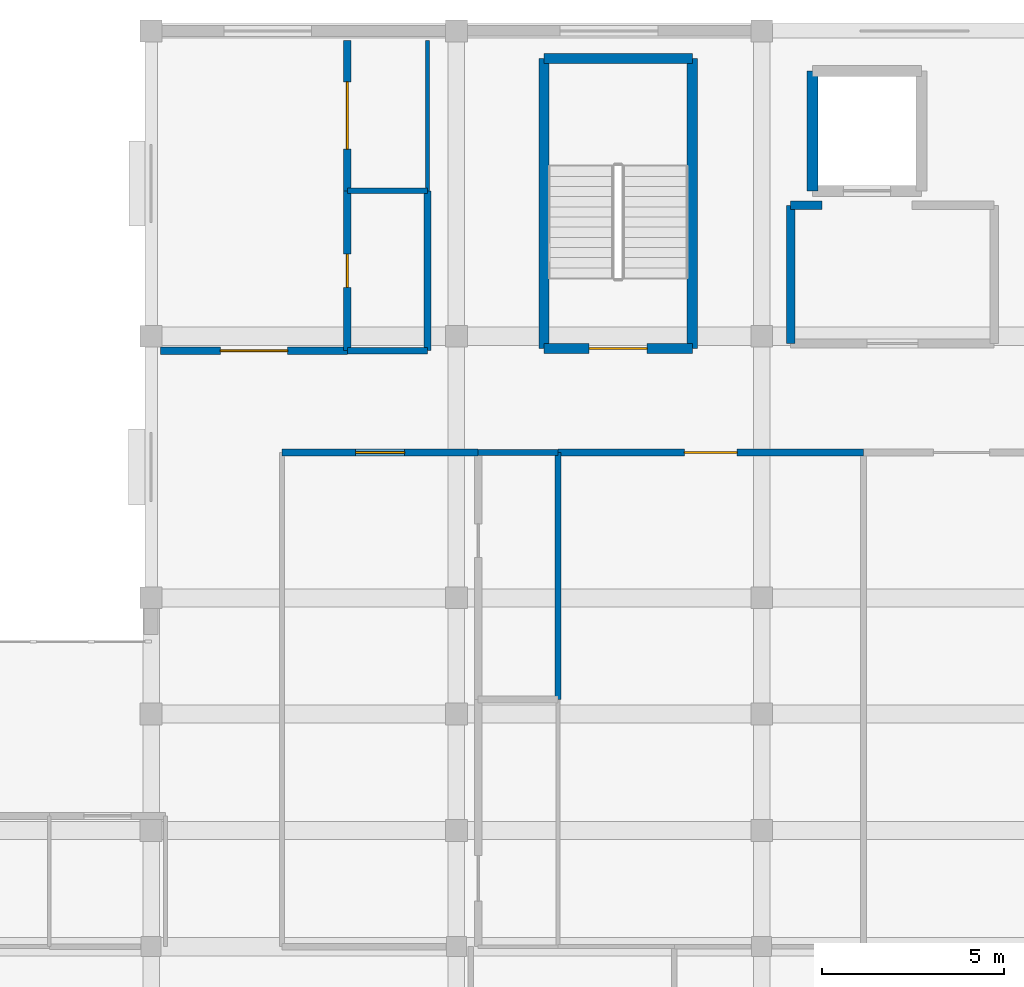
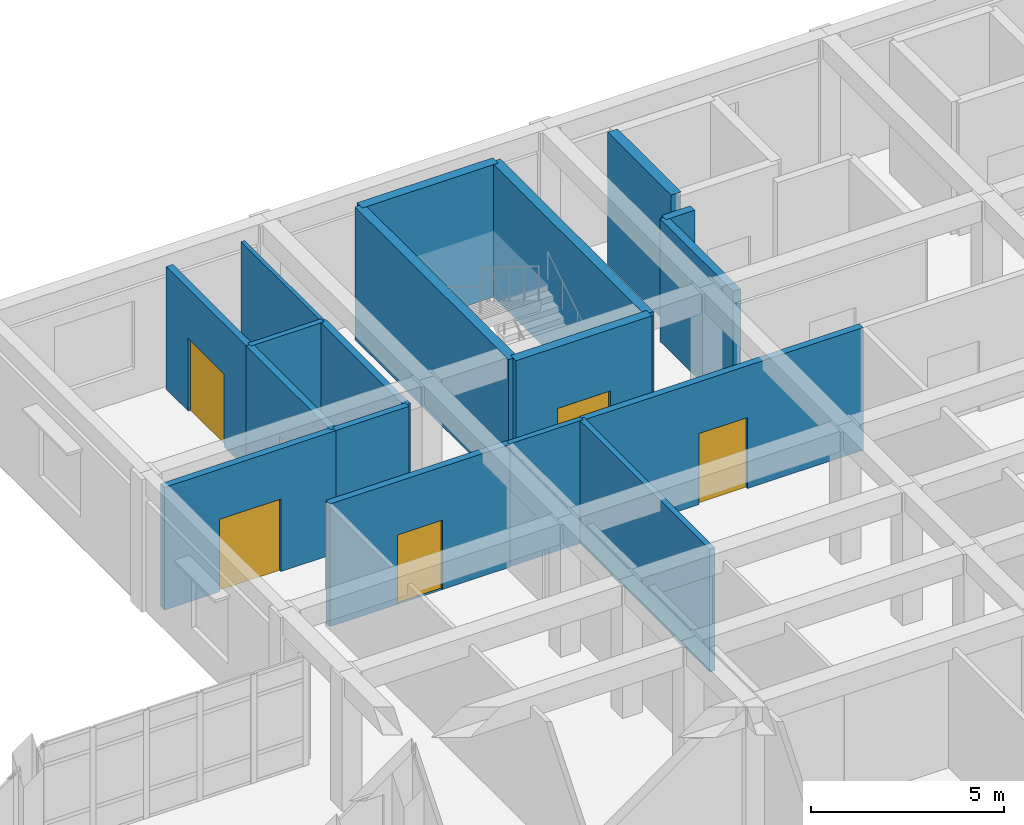
# One storey, part 53 of 77: 18 walls, 6 doors, 6 openings.
"""IFC4 building model written with IfcOpenShell, lengths in metres."""

from ifc_helpers import new_model, si_unit, direction, frame, frame_2d, origin, place, context, subcontext, project, spatial, rectangle, extrude, material, layer, layer_set, type_object, element, fill, save


model = new_model("IFC4")

# Units and contexts
model_context = context("Model", 3, precision=1e-05, world=origin(), true_north=direction((0.0, 1.0)))
body_context = subcontext(model_context, "Body", "Model", "MODEL_VIEW")
ifc_project = project(units=[si_unit("LENGTHUNIT", "METRE"), si_unit("AREAUNIT", "SQUARE_METRE"), si_unit("VOLUMEUNIT", "CUBIC_METRE"), si_unit("PLANEANGLEUNIT", "RADIAN"), si_unit("MASSUNIT", "GRAM", prefix="KILO")], contexts=[model_context])

# Site, building, storey
site_placement = place(None, origin())
site = spatial("IfcSite", under=ifc_project, at=site_placement, CompositionType="ELEMENT")
building_placement = place(site_placement, origin())
building = spatial("IfcBuilding", under=site, at=building_placement, Name="Varncliffe General Hospital", CompositionType="ELEMENT")
storey_placement = place(building_placement, frame((0.0, 0.0, 16.199951171875)))
storey = spatial("IfcBuildingStorey", under=building, at=storey_placement, Name="L03", CompositionType="ELEMENT", Elevation=16.199951171875)

# Walls
ifc_material_1 = material(Name="Acoustic clinical gypsum stud partition assembly", Category="gypsum")
ifc_layer_1 = layer(ifc_material_1, 0.110107421875)
ifc_layer_set_1 = layer_set([ifc_layer_1], Name="Acoustic clinical gypsum stud partition assembly")
wall_type_1 = type_object("IfcWallType", Name="Interior Partitioning IW65 (110mm)", PredefinedType="PARTITIONING", material=ifc_layer_set_1)
wall_1_placement = place(storey_placement, frame((116.800048828125, 120.39990234375, 0.0), z_axis=(0.0, 0.0, 1.0), x_axis=(0.0, 1.0, 0.0)))
element("IfcWall", 1, at=wall_1_placement, inside=storey, type_object=wall_type_1, Name="L03 Interior Partition Wall IW65-1597", PredefinedType="PARTITIONING", context=body_context, shape_type="SweptSolid", body=[
    extrude(rectangle(XDim=4.14013671875, YDim=0.110107421875, at=frame_2d((2.070068359375, 0.0))), origin(), (0.0, 0.0, 1.0), 3.89013671875),
])
ifc_material_2 = material(Name="Fire-rated gypsum and mineral-wool partition assembly", Category="gypsum")
ifc_layer_2 = layer(ifc_material_2, 0.22998046875)
ifc_layer_set_2 = layer_set([ifc_layer_2], Name="Fire-rated gypsum and mineral-wool partition assembly")
wall_type_2 = type_object("IfcWallType", Name="Interior Partitioning PW48 (230mm)", PredefinedType="PARTITIONING", material=ifc_layer_set_2)
wall_2_placement = place(storey_placement, frame((126.800048828125, 120.0, 0.0), z_axis=(0.0, 0.0, 1.0), x_axis=(1.0, 0.0, 0.0)))
element("IfcWall", 2, at=wall_2_placement, inside=storey, type_object=wall_type_2, Name="L03 Interior Partition Wall PW48-1501", PredefinedType="PARTITIONING", context=body_context, shape_type="SweptSolid", body=[
    extrude(rectangle(XDim=0.864013671875, YDim=0.22998046875, at=frame_2d((0.43212890625, 0.0))), origin(), (0.0, 0.0, 1.0), 3.89013671875),
])
wall_3_placement = place(storey_placement, frame((126.800048828125, 116.199951171875, 0.0), z_axis=(0.0, 0.0, 1.0), x_axis=(0.0, 1.0, 0.0)))
element("IfcWall", 3, at=wall_3_placement, inside=storey, type_object=wall_type_2, Name="L03 Interior Partition Wall PW48-1608", PredefinedType="PARTITIONING", context=body_context, shape_type="SweptSolid", body=[
    extrude(rectangle(XDim=3.800048828125, YDim=0.22998046875, at=frame_2d((1.89990234375, 0.0))), origin(), (0.0, 0.0, 1.0), 3.89013671875),
])

# Wall, opening, door
ifc_layer_3 = layer(ifc_material_2, 0.199951171875)
ifc_layer_set_3 = layer_set([ifc_layer_3], Name="Fire-rated gypsum and mineral-wool partition assembly")
wall_type_3 = type_object("IfcWallType", Name="Interior Partitioning PW63 (200mm)", PredefinedType="PARTITIONING", material=ifc_layer_set_3)
wall_4_placement = place(storey_placement, frame((112.800048828125, 113.199951171875, 0.0), z_axis=(0.0, 0.0, 1.0), x_axis=(1.0, 0.0, 0.0)))
wall_4 = element("IfcWall", 4, at=wall_4_placement, inside=storey, type_object=wall_type_3, Name="L03 Interior Partition Wall PW63-1470", PredefinedType="PARTITIONING", context=body_context, shape_type="SweptSolid", body=[
    extrude(rectangle(XDim=5.39990234375, YDim=0.199951171875, at=frame_2d((2.699951171875, 0.0))), origin(), (0.0, 0.0, 1.0), 3.89013671875),
])
opening_1_placement = place(wall_4_placement, frame((2.02490234375, 0.0, 0.0)))
opening_1 = element("IfcOpeningElement", 5, at=opening_1_placement, cuts=wall_4, Name="Opening DC85", PredefinedType="OPENING", context=body_context, shape_type="SweptSolid", body=[
    extrude(rectangle(XDim=1.35009765625, YDim=2.199951171875, at=frame_2d((0.675048828125, 1.10009765625))), frame((0.0, 0.10986328125, 0.0), z_axis=(0.0, -1.0, 0.0), x_axis=(1.0, 0.0, 0.0)), (0.0, 0.0, 1.0), 0.219970703125),
])
ifc_material_3 = material(Name="Fire-rated hospital steel-frame vision-panel door", Category="steel")
door_type_1 = type_object("IfcDoorType", Name="Interior Hospital Door DC85 (1350x2200)", OperationType="NOTDEFINED", PredefinedType="DOOR", material=ifc_material_3)
door_1_placement = place(opening_1_placement, frame((1.35009765625, 0.0, 0.0), z_axis=(0.0, 0.0, 1.0), x_axis=(-1.0, 0.0, 0.0)))
door_1 = element("IfcDoor", 6, at=door_1_placement, inside=storey, type_object=door_type_1, Name="L03 Orthopaedic Inpatient Ward Suite 115 Door", OperationType="SINGLE_SWING_RIGHT", OverallHeight=2.199951171875, OverallWidth=1.35009765625, PredefinedType="DOOR", context=body_context, shape_type="SweptSolid", body=[
    extrude(rectangle(XDim=1.35009765625, YDim=2.199951171875, at=frame_2d((0.675048828125, 1.10009765625))), frame((0.0, 0.02490234375, 0.0), z_axis=(0.0, -1.0, 0.0), x_axis=(1.0, 0.0, 0.0)), (0.0, 0.0, 1.0), 0.050048828125),
])
fill(opening_1, door_1)

wall_5_placement = place(storey_placement, frame((120.39990234375, 113.199951171875, 0.0), z_axis=(0.0, 0.0, 1.0), x_axis=(1.0, 0.0, 0.0)))
wall_5 = element("IfcWall", 7, at=wall_5_placement, inside=storey, type_object=wall_type_3, Name="L03 Interior Partition Wall PW63-1472", PredefinedType="PARTITIONING", context=body_context, shape_type="SweptSolid", body=[
    extrude(rectangle(XDim=8.400146484375, YDim=0.199951171875, at=frame_2d((4.2001953125, 0.0))), origin(), (0.0, 0.0, 1.0), 3.89013671875),
])
opening_2_placement = place(wall_5_placement, frame((3.47509765625, 0.0, 0.0)))
opening_2 = element("IfcOpeningElement", 8, at=opening_2_placement, cuts=wall_5, Name="Opening DC66", PredefinedType="OPENING", context=body_context, shape_type="SweptSolid", body=[
    extrude(rectangle(XDim=1.449951171875, YDim=2.25, at=frame_2d((0.72509765625, 1.125))), frame((0.0, 0.10986328125, 0.0), z_axis=(0.0, -1.0, 0.0), x_axis=(1.0, 0.0, 0.0)), (0.0, 0.0, 1.0), 0.219970703125),
])
door_type_2 = type_object("IfcDoorType", Name="Interior Hospital Door DC66 (1450x2250)", OperationType="NOTDEFINED", PredefinedType="DOOR", material=ifc_material_3)
door_2_placement = place(opening_2_placement, frame((1.449951171875, 0.0, 0.0), z_axis=(0.0, 0.0, 1.0), x_axis=(-1.0, 0.0, 0.0)))
door_2 = element("IfcDoor", 9, at=door_2_placement, inside=storey, type_object=door_type_2, Name="L03 Inpatient Physiotherapy Gym Bay 118 Door", OperationType="SINGLE_SWING_LEFT", OverallHeight=2.25, OverallWidth=1.449951171875, PredefinedType="DOOR", context=body_context, shape_type="SweptSolid", body=[
    extrude(rectangle(XDim=1.449951171875, YDim=2.25, at=frame_2d((0.72509765625, 1.125))), frame((0.0, 0.02490234375, 0.0), z_axis=(0.0, -1.0, 0.0), x_axis=(1.0, 0.0, 0.0)), (0.0, 0.0, 1.0), 0.050048828125),
])
fill(opening_2, door_2)

wall_6_placement = place(storey_placement, frame((109.4599609375, 116.0, 0.0), z_axis=(0.0, 0.0, 1.0), x_axis=(1.0, 0.0, 0.0)))
wall_6 = element("IfcWall", 10, at=wall_6_placement, inside=storey, type_object=wall_type_3, Name="L03 Interior Partition Wall PW63-1485", PredefinedType="PARTITIONING", context=body_context, shape_type="SweptSolid", body=[
    extrude(rectangle(XDim=5.14013671875, YDim=0.199951171875, at=frame_2d((2.570068359375, 0.0))), origin(), (0.0, 0.0, 1.0), 3.89013671875),
])
opening_3_placement = place(wall_6_placement, frame((1.64501953125, 0.0, 0.0)))
opening_3 = element("IfcOpeningElement", 11, at=opening_3_placement, cuts=wall_6, Name="Opening DC38", PredefinedType="OPENING", context=body_context, shape_type="SweptSolid", body=[
    extrude(rectangle(XDim=1.85009765625, YDim=2.300048828125, at=frame_2d((0.925048828125, 1.14990234375))), frame((0.0, 0.10986328125, 0.0), z_axis=(0.0, -1.0, 0.0), x_axis=(1.0, 0.0, 0.0)), (0.0, 0.0, 1.0), 0.219970703125),
])
door_type_3 = type_object("IfcDoorType", Name="Interior Hospital Door DC38 (1850x2300)", OperationType="NOTDEFINED", PredefinedType="DOOR", material=ifc_material_3)
door_3_placement = place(opening_3_placement, origin())
door_3 = element("IfcDoor", 12, at=door_3_placement, inside=storey, type_object=door_type_3, Name="L03 Orthopaedic Inpatient Ward Suite 132 Door", OperationType="SINGLE_SWING_LEFT", OverallHeight=2.300048828125, OverallWidth=1.85009765625, PredefinedType="DOOR", context=body_context, shape_type="SweptSolid", body=[
    extrude(rectangle(XDim=1.85009765625, YDim=2.300048828125, at=frame_2d((0.925048828125, 1.14990234375))), frame((0.0, 0.02490234375, 0.0), z_axis=(0.0, -1.0, 0.0), x_axis=(1.0, 0.0, 0.0)), (0.0, 0.0, 1.0), 0.050048828125),
])
fill(opening_3, door_3)

wall_7_placement = place(storey_placement, frame((114.60009765625, 116.0, 0.0), z_axis=(0.0, 0.0, 1.0), x_axis=(0.0, 1.0, 0.0)))
wall_7 = element("IfcWall", 13, at=wall_7_placement, inside=storey, type_object=wall_type_3, Name="L03 Interior Partition Wall PW63-1594", PredefinedType="PARTITIONING", context=body_context, shape_type="SweptSolid", body=[
    extrude(rectangle(XDim=4.39990234375, YDim=0.199951171875, at=frame_2d((2.199951171875, 0.0))), origin(), (0.0, 0.0, 1.0), 3.89013671875),
])
opening_4_placement = place(wall_7_placement, frame((1.739990234375, 0.0, 0.0)))
opening_4 = element("IfcOpeningElement", 14, at=opening_4_placement, cuts=wall_7, Name="Opening DI70", PredefinedType="OPENING", context=body_context, shape_type="SweptSolid", body=[
    extrude(rectangle(XDim=0.919921875, YDim=2.10009765625, at=frame_2d((0.4599609375, 1.050048828125))), frame((0.0, 0.10986328125, 0.0), z_axis=(0.0, -1.0, 0.0), x_axis=(1.0, 0.0, 0.0)), (0.0, 0.0, 1.0), 0.219970703125),
])
ifc_material_4 = material(Name="Solid-core antimicrobial hospital oak veneer door", Category="wood")
door_type_4 = type_object("IfcDoorType", Name="Interior Hospital Door DI70 (920x2100)", OperationType="NOTDEFINED", PredefinedType="DOOR", material=ifc_material_4)
door_4_placement = place(opening_4_placement, frame((0.919921875, 0.0, 0.0), z_axis=(0.0, 0.0, 1.0), x_axis=(-1.0, 0.0, 0.0)))
door_4 = element("IfcDoor", 15, at=door_4_placement, inside=storey, type_object=door_type_4, Name="L03 En-Suite Bathroom 133 Door", OperationType="SINGLE_SWING_LEFT", OverallHeight=2.10009765625, OverallWidth=0.919921875, PredefinedType="DOOR", context=body_context, shape_type="SweptSolid", body=[
    extrude(rectangle(XDim=0.919921875, YDim=2.10009765625, at=frame_2d((0.4599609375, 1.050048828125))), frame((0.0, 0.02490234375, 0.0), z_axis=(0.0, -1.0, 0.0), x_axis=(1.0, 0.0, 0.0)), (0.0, 0.0, 1.0), 0.050048828125),
])
fill(opening_4, door_4)

wall_8_placement = place(storey_placement, frame((114.60009765625, 120.39990234375, 0.0), z_axis=(0.0, 0.0, 1.0), x_axis=(0.0, 1.0, 0.0)))
wall_8 = element("IfcWall", 16, at=wall_8_placement, inside=storey, type_object=wall_type_3, Name="L03 Interior Partition Wall PW63-1595", PredefinedType="PARTITIONING", context=body_context, shape_type="SweptSolid", body=[
    extrude(rectangle(XDim=4.14013671875, YDim=0.199951171875, at=frame_2d((2.070068359375, 0.0))), origin(), (0.0, 0.0, 1.0), 3.89013671875),
])
opening_5_placement = place(wall_8_placement, frame((1.14501953125, 0.0, 0.0)))
opening_5 = element("IfcOpeningElement", 17, at=opening_5_placement, cuts=wall_8, Name="Opening DC38", PredefinedType="OPENING", context=body_context, shape_type="SweptSolid", body=[
    extrude(rectangle(XDim=1.85009765625, YDim=2.300048828125, at=frame_2d((0.925048828125, 1.14990234375))), frame((0.0, 0.10986328125, 0.0), z_axis=(0.0, -1.0, 0.0), x_axis=(1.0, 0.0, 0.0)), (0.0, 0.0, 1.0), 0.219970703125),
])
door_5_placement = place(opening_5_placement, frame((1.85009765625, 0.0, 0.0), z_axis=(0.0, 0.0, 1.0), x_axis=(-1.0, 0.0, 0.0)))
door_5 = element("IfcDoor", 18, at=door_5_placement, inside=storey, type_object=door_type_3, Name="L03 Patient Medication and Hygiene Bay 134 Door", OperationType="SINGLE_SWING_RIGHT", OverallHeight=2.300048828125, OverallWidth=1.85009765625, PredefinedType="DOOR", context=body_context, shape_type="SweptSolid", body=[
    extrude(rectangle(XDim=1.85009765625, YDim=2.300048828125, at=frame_2d((0.925048828125, 1.14990234375))), frame((0.0, 0.02490234375, 0.0), z_axis=(0.0, -1.0, 0.0), x_axis=(1.0, 0.0, 0.0)), (0.0, 0.0, 1.0), 0.050048828125),
])
fill(opening_5, door_5)

# Walls
ifc_material_5 = material(Name="Moisture-resistant plumbing chase wall assembly", Category="gypsum")
ifc_layer_4 = layer(ifc_material_5, 0.18994140625)
ifc_layer_set_4 = layer_set([ifc_layer_4], Name="Moisture-resistant plumbing chase wall assembly")
wall_type_4 = type_object("IfcWallType", Name="Interior Plumbingwall MW17 (190mm)", PredefinedType="PLUMBINGWALL", material=ifc_layer_set_4)
wall_9_placement = place(storey_placement, frame((114.60009765625, 116.0, 0.0), z_axis=(0.0, 0.0, 1.0), x_axis=(1.0, 0.0, 0.0)))
element("IfcWall", 19, at=wall_9_placement, inside=storey, type_object=wall_type_4, Name="L03 Interior Plumbing Wall MW17-1486", PredefinedType="PLUMBINGWALL", context=body_context, shape_type="SweptSolid", body=[
    extrude(rectangle(XDim=2.199951171875, YDim=0.18994140625, at=frame_2d((1.10009765625, 0.0))), origin(), (0.0, 0.0, 1.0), 3.89013671875),
])
wall_10_placement = place(storey_placement, frame((116.800048828125, 116.0, 0.0), z_axis=(0.0, 0.0, 1.0), x_axis=(0.0, 1.0, 0.0)))
element("IfcWall", 20, at=wall_10_placement, inside=storey, type_object=wall_type_4, Name="L03 Interior Plumbing Wall MW17-1596", PredefinedType="PLUMBINGWALL", context=body_context, shape_type="SweptSolid", body=[
    extrude(rectangle(XDim=4.39990234375, YDim=0.18994140625, at=frame_2d((2.199951171875, 0.0))), origin(), (0.0, 0.0, 1.0), 3.89013671875),
])
ifc_layer_5 = layer(ifc_material_5, 0.159912109375)
ifc_layer_set_5 = layer_set([ifc_layer_5], Name="Moisture-resistant plumbing chase wall assembly")
wall_type_5 = type_object("IfcWallType", Name="Interior Plumbingwall MW31 (160mm)", PredefinedType="PLUMBINGWALL", material=ifc_layer_set_5)
for number, where, z_axis, x_axis, name in (
    (21, (118.199951171875, 113.199951171875, 0.0), (0.0, 0.0, 1.0), (1.0, 0.0, 0.0), "L03 Interior Plumbing Wall MW31-1471"),
    (22, (114.60009765625, 120.39990234375, 0.0), (0.0, 0.0, 1.0), (1.0, 0.0, 0.0), "L03 Interior Plumbing Wall MW31-1507"),
):
    element("IfcWall", number, at=place(storey_placement, frame(where, z_axis=z_axis, x_axis=x_axis)), inside=storey, type_object=wall_type_5, Name=name, PredefinedType="PLUMBINGWALL", context=body_context, shape_type="SweptSolid", body=[
        extrude(rectangle(XDim=2.199951171875, YDim=0.159912109375, at=frame_2d((1.10009765625, 0.0))), origin(), (0.0, 0.0, 1.0), 3.89013671875),
    ])
wall_11_placement = place(storey_placement, frame((120.39990234375, 106.39990234375, 0.0), z_axis=(0.0, 0.0, 1.0), x_axis=(0.0, 1.0, 0.0)))
element("IfcWall", 23, at=wall_11_placement, inside=storey, type_object=wall_type_5, Name="L03 Interior Plumbing Wall MW31-1603", PredefinedType="PLUMBINGWALL", context=body_context, shape_type="SweptSolid", body=[
    extrude(rectangle(XDim=6.800048828125, YDim=0.159912109375, at=frame_2d((3.39990234375, 0.0))), origin(), (0.0, 0.0, 1.0), 3.89013671875),
])
ifc_material_6 = material(Name="Concrete C40/50 (CSA A23.1 40 MPa)", Category="concrete")
ifc_layer_6 = layer(ifc_material_6, 0.300048828125)
ifc_layer_set_6 = layer_set([ifc_layer_6], Name="Concrete C40/50 (CSA A23.1 40 MPa)")
wall_type_6 = type_object("IfcWallType", Name="Reinforced Concrete Core Shear Wall CW12 (300mm)", PredefinedType="SHEAR", material=ifc_layer_set_6)
wall_12_placement = place(storey_placement, frame((127.39990234375, 123.699951171875, 0.0), z_axis=(0.0, 0.0, 1.0), x_axis=(0.0, -1.0, 0.0)))
element("IfcWall", 24, at=wall_12_placement, inside=storey, type_object=wall_type_6, Name="L03 LF03 Elevator Shaft Wall West", PredefinedType="SHEAR", context=body_context, shape_type="SweptSolid", body=[
    extrude(rectangle(XDim=3.300048828125, YDim=0.300048828125, at=frame_2d((1.64990234375, 0.0))), origin(), (0.0, 0.0, 1.0), 4.199951171875),
])
ifc_layer_7 = layer(ifc_material_6, 0.280029296875)
ifc_layer_set_7 = layer_set([ifc_layer_7], Name="Concrete C40/50 (CSA A23.1 40 MPa)")
wall_type_7 = type_object("IfcWallType", Name="Reinforced Concrete Core Shear Wall CW13 (280mm)", PredefinedType="SHEAR", material=ifc_layer_set_7)
wall_13_placement = place(storey_placement, frame((124.090087890625, 116.06005859375, 0.0), z_axis=(0.0, 0.0, 1.0), x_axis=(0.0, 1.0, 0.0)))
element("IfcWall", 25, at=wall_13_placement, inside=storey, type_object=wall_type_7, Name="L03 ST03 Core Shear Wall L", PredefinedType="SHEAR", context=body_context, shape_type="SweptSolid", body=[
    extrude(rectangle(XDim=7.97998046875, YDim=0.280029296875, at=frame_2d((3.989990234375, 0.0))), origin(), (0.0, 0.0, 1.0), 4.199951171875),
])
wall_14_placement = place(storey_placement, frame((124.090087890625, 124.0400390625, 0.0), z_axis=(0.0, 0.0, 1.0), x_axis=(-1.0, 0.0, 0.0)))
element("IfcWall", 26, at=wall_14_placement, inside=storey, type_object=wall_type_7, Name="L03 ST03 Core Shear Wall F", PredefinedType="SHEAR", context=body_context, shape_type="SweptSolid", body=[
    extrude(rectangle(XDim=4.080078125, YDim=0.280029296875, at=frame_2d((2.0400390625, 0.0))), origin(), (0.0, 0.0, 1.0), 4.199951171875),
])
wall_15_placement = place(storey_placement, frame((120.010009765625, 124.0400390625, 0.0), z_axis=(0.0, 0.0, 1.0), x_axis=(0.0, -1.0, 0.0)))
element("IfcWall", 27, at=wall_15_placement, inside=storey, type_object=wall_type_7, Name="L03 ST03 Core Shear Wall R", PredefinedType="SHEAR", context=body_context, shape_type="SweptSolid", body=[
    extrude(rectangle(XDim=7.97998046875, YDim=0.280029296875, at=frame_2d((3.989990234375, 0.0))), origin(), (0.0, 0.0, 1.0), 4.199951171875),
])

# Wall, opening, door
wall_16_placement = place(storey_placement, frame((120.010009765625, 116.06005859375, 0.0), z_axis=(0.0, 0.0, 1.0), x_axis=(1.0, 0.0, 0.0)))
wall_16 = element("IfcWall", 28, at=wall_16_placement, inside=storey, type_object=wall_type_7, Name="L03 ST03 Core Shear Wall N", PredefinedType="SHEAR", context=body_context, shape_type="SweptSolid", body=[
    extrude(rectangle(XDim=4.080078125, YDim=0.280029296875, at=frame_2d((2.0400390625, 0.0))), origin(), (0.0, 0.0, 1.0), 4.199951171875),
])
opening_6_placement = place(wall_16_placement, frame((1.239990234375, 0.0, 0.0)))
opening_6 = element("IfcOpeningElement", 29, at=opening_6_placement, cuts=wall_16, Name="Opening DF27", PredefinedType="OPENING", context=body_context, shape_type="SweptSolid", body=[
    extrude(rectangle(XDim=1.60009765625, YDim=2.25, at=frame_2d((0.800048828125, 1.125))), frame((0.0, 0.14990234375, 0.0), z_axis=(0.0, -1.0, 0.0), x_axis=(1.0, 0.0, 0.0)), (0.0, 0.0, 1.0), 0.300048828125),
])
door_type_5 = type_object("IfcDoorType", Name="Interior Hospital Door DF27 (1600x2250)", OperationType="NOTDEFINED", PredefinedType="DOOR", material=ifc_material_3)
door_6_placement = place(opening_6_placement, frame((1.60009765625, 0.0, 0.0), z_axis=(0.0, 0.0, 1.0), x_axis=(-1.0, 0.0, 0.0)))
door_6 = element("IfcDoor", 30, at=door_6_placement, inside=storey, type_object=door_type_5, Name="L03 ST03 Protected Exit Stair Door", OperationType="SINGLE_SWING_LEFT", OverallHeight=2.25, OverallWidth=1.60009765625, PredefinedType="DOOR", context=body_context, shape_type="SweptSolid", body=[
    extrude(rectangle(XDim=1.60009765625, YDim=2.25, at=frame_2d((0.800048828125, 1.125))), frame((0.0, 0.02490234375, 0.0), z_axis=(0.0, -1.0, 0.0), x_axis=(1.0, 0.0, 0.0)), (0.0, 0.0, 1.0), 0.050048828125),
])
fill(opening_6, door_6)

save(model, "model.ifc")
